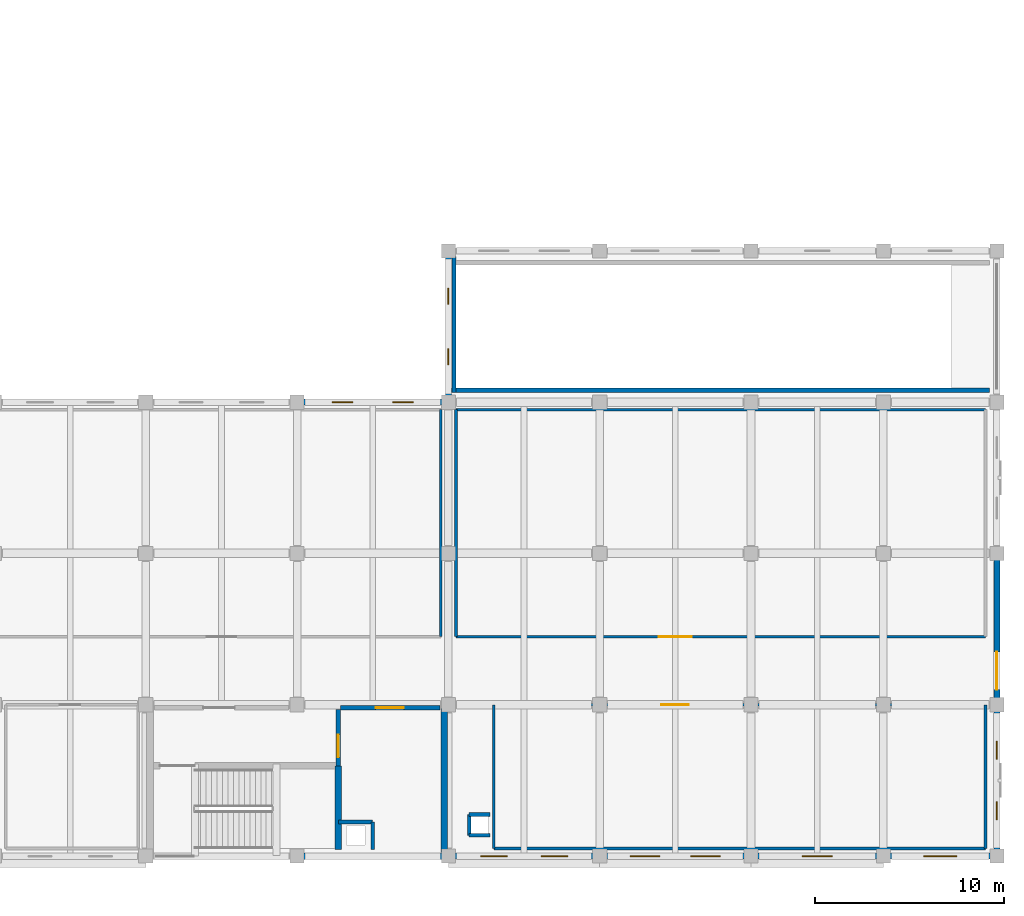
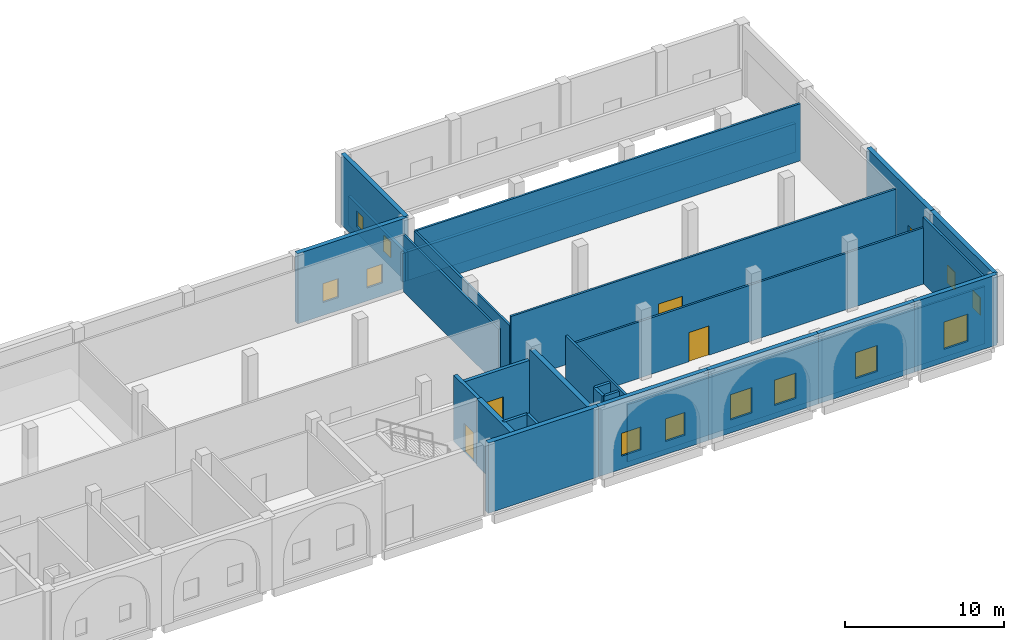
# One storey, part 24 of 40: 28 walls, 12 windows, 5 doors, 17 openings.
"""IFC4 building model written with IfcOpenShell, lengths in metres."""

import ifcopenshell
import ifcopenshell.guid

model = None  # the IFC model being written
_history = None  # IfcOwnerHistory: only IFC2X3 demands one
_inside = {}  # id of a spatial element -> (the spatial element, [elements in it])
_under = {}  # id of a project, library or spatial element -> (it, [spatial elements below it])
_declared = {}  # id of a project -> (the project, [libraries it declares])
_typed = {}  # id of a type object -> (the type object, [elements of that type])
_made_of = {}  # id of a material, layer set ... -> (it, [elements and type objects made of it])


def new_model(schema):
    """Start an empty IFC model of exactly this schema.

    Asked for "IFC4X3", IfcOpenShell would pick the latest addendum, in which some entities
    have other attributes; the version numbers below select the first issue.
    IFC2X3 requires an IfcOwnerHistory on every rooted entity: one is made here for all.
    """
    global model, _history
    if schema == "IFC4X3":
        model = ifcopenshell.file(schema_version=(4, 3, 0, 0))
    else:
        model = ifcopenshell.file(schema=schema)
    _inside.clear()
    _under.clear()
    _declared.clear()
    _typed.clear()
    _made_of.clear()
    _history = None
    if model.schema == "IFC2X3":
        org = make("IfcOrganization", Name="unknown")
        user = make(
            "IfcPersonAndOrganization",
            ThePerson=make("IfcPerson", FamilyName="unknown"),
            TheOrganization=org,
        )
        app = make(
            "IfcApplication",
            ApplicationDeveloper=org,
            Version="unknown",
            ApplicationFullName="unknown",
            ApplicationIdentifier="unknown",
        )
        _history = make(
            "IfcOwnerHistory",
            OwningUser=user,
            OwningApplication=app,
            ChangeAction="ADDED",
            CreationDate=0,
        )
    return model


def make(cls, **values):
    """One entity of the class cls with the attributes given. An attribute that is None is left unset."""
    return model.create_entity(
        cls, **{name: value for name, value in values.items() if value is not None}
    )


def rooted(cls, **values):
    """An entity with a GlobalId (a new one), such as an element, a storey or a relation."""
    return make(cls, GlobalId=ifcopenshell.guid.new(), OwnerHistory=_history, **values)


def si_unit(unit_type, name, prefix=None):
    """IfcSIUnit, for example si_unit("LENGTHUNIT", "METRE", prefix="MILLI")."""
    return make("IfcSIUnit", UnitType=unit_type, Prefix=prefix, Name=name)


def assignment(units):
    """IfcUnitAssignment: the units of a project."""
    return None if units is None else make("IfcUnitAssignment", Units=units)


def point(xyz):
    """IfcCartesianPoint."""
    return None if xyz is None else make("IfcCartesianPoint", Coordinates=xyz)


def direction(xyz):
    """IfcDirection."""
    return None if xyz is None else make("IfcDirection", DirectionRatios=xyz)


def frame(location, z_axis=None, x_axis=None):
    """IfcAxis2Placement3D, a coordinate frame: its origin and axes. An axis left out is left unset."""
    return make(
        "IfcAxis2Placement3D",
        Location=point(location),
        Axis=direction(z_axis),
        RefDirection=direction(x_axis),
    )


def frame_2d(location, x_axis=None):
    """IfcAxis2Placement2D, a coordinate frame in the plane: its origin and x axis."""
    return make(
        "IfcAxis2Placement2D", Location=point(location), RefDirection=direction(x_axis)
    )


def origin():
    """The frame at (0, 0, 0) with its axes left unset."""
    return frame((0.0, 0.0, 0.0))


def place(relative_to, where):
    """IfcLocalPlacement: puts the frame where relative to a parent placement (None: the world)."""
    return make(
        "IfcLocalPlacement", PlacementRelTo=relative_to, RelativePlacement=where
    )


def context(
    kind, dimensions, precision=None, world=None, true_north=None, identifier=None
):
    """IfcGeometricRepresentationContext, for example the 3D "Model" context."""
    return make(
        "IfcGeometricRepresentationContext",
        ContextIdentifier=identifier,
        ContextType=kind,
        CoordinateSpaceDimension=dimensions,
        Precision=precision,
        WorldCoordinateSystem=world,
        TrueNorth=true_north,
    )


def subcontext(parent, identifier, kind, view, scale=None):
    """IfcGeometricRepresentationSubContext, for example "Body" below "Model"."""
    return make(
        "IfcGeometricRepresentationSubContext",
        ContextIdentifier=identifier,
        ContextType=kind,
        ParentContext=parent,
        TargetScale=scale,
        TargetView=view,
    )


def project(units=None, contexts=None):
    """IfcProject with its units and contexts."""
    return rooted(
        "IfcProject",
        Name="project",
        RepresentationContexts=contexts,
        UnitsInContext=assignment(units),
    )


def spatial(cls, under=None, at=None, **own):
    """A site, building, storey or space (cls), placed at a placement, below another one or the project."""
    s = rooted(cls, ObjectPlacement=at, **own)
    if under is not None:
        _under.setdefault(under.id(), (under, []))[1].append(s)
    return s


def profile(cls, at=None, kind="AREA", **sizes):
    """A parametric profile (cls). Its sizes go by their IFC names, for example OverallWidth=200.0."""
    return make(cls, ProfileType=kind, Position=at, **sizes)


def rectangle(**sizes):
    """IfcRectangleProfileDef."""
    return profile("IfcRectangleProfileDef", **sizes)


def extrude(swept, where, along, depth):
    """IfcExtrudedAreaSolid: the profile swept, set in the frame where, extruded along a direction by depth."""
    return make(
        "IfcExtrudedAreaSolid",
        SweptArea=swept,
        Position=where,
        ExtrudedDirection=direction(along),
        Depth=depth,
    )


def shape(context_of_items, identifier, shape_type, items):
    """IfcShapeRepresentation: the items that make up one representation, for example the "Body"."""
    return make(
        "IfcShapeRepresentation",
        ContextOfItems=context_of_items,
        RepresentationIdentifier=identifier,
        RepresentationType=shape_type,
        Items=items,
    )


def material(Name=None, Category=None):
    """IfcMaterial."""
    return make("IfcMaterial", Name=Name, Category=Category)


def layer(
    of_material, thickness, ventilated=None, Name=None, Category=None, Priority=None
):
    """IfcMaterialLayer: one layer of a wall or slab, of a material (None: an air gap)."""
    return make(
        "IfcMaterialLayer",
        Material=of_material,
        LayerThickness=thickness,
        IsVentilated=ventilated,
        Name=Name,
        Category=Category,
        Priority=Priority,
    )


def layer_set(layers, Name=None):
    """IfcMaterialLayerSet."""
    return make("IfcMaterialLayerSet", MaterialLayers=layers, LayerSetName=Name)


def made_of(thing, what):
    """Note that an element or type object is made of a material, layer set ...; save() writes the relation."""
    if what is not None:
        _made_of.setdefault(what.id(), (what, []))[1].append(thing)
    return thing


def type_object(cls, material=None, **own):
    """A type object (cls), such as IfcWallType, which elements share."""
    return made_of(rooted(cls, **own), material)


def element(
    cls,
    number,
    at=None,
    inside=None,
    cuts=None,
    type_object=None,
    material=None,
    context=None,
    identifier="Body",
    shape_type=None,
    held_by="IfcProductDefinitionShape",
    body=None,
    shapes=None,
    **own,
):
    """One element of the class cls, such as IfcWall. Its Tag is "e" and its number.

    at: its placement. inside: the storey or other place that contains it. cuts: it is an
    opening in that element (IfcRelVoidsElement). A single representation is given by context,
    identifier, shape_type and body (its items); several are given by shapes. held_by: the class
    of the entity that holds the representations. save() writes the other relations.
    """
    e = rooted(cls, Tag="e%d" % number, ObjectPlacement=at, **own)
    if body is not None:
        shapes = [shape(context, identifier, shape_type, body)]
    if shapes is not None:
        e.Representation = make(held_by, Representations=shapes)
    if inside is not None:
        _inside.setdefault(inside.id(), (inside, []))[1].append(e)
    if cuts is not None:
        rooted(
            "IfcRelVoidsElement", RelatingBuildingElement=cuts, RelatedOpeningElement=e
        )
    if type_object is not None:
        _typed.setdefault(type_object.id(), (type_object, []))[1].append(e)
    return made_of(e, material)


def fill(opening, filler):
    """IfcRelFillsElement: the door or window that sits in an opening."""
    return rooted(
        "IfcRelFillsElement",
        RelatingOpeningElement=opening,
        RelatedBuildingElement=filler,
    )


def aggregate(whole, parts):
    """IfcRelAggregates: a whole, such as a stair, and the parts it consists of."""
    return rooted("IfcRelAggregates", RelatingObject=whole, RelatedObjects=parts)


def save(model, path):
    """Write the relations noted so far, then the file.

    IfcRelAggregates (storeys below a building ...), IfcRelContainedInSpatialStructure (elements
    in a storey), IfcRelDefinesByType, IfcRelAssociatesMaterial and IfcRelDeclares: one each for
    every whole, place, type object, material and project.
    """
    for whole, parts in _under.values():
        aggregate(whole, parts)
    for where, things in _inside.values():
        rooted(
            "IfcRelContainedInSpatialStructure",
            RelatedElements=things,
            RelatingStructure=where,
        )
    for kind, things in _typed.values():
        rooted("IfcRelDefinesByType", RelatedObjects=things, RelatingType=kind)
    for what, things in _made_of.values():
        rooted("IfcRelAssociatesMaterial", RelatedObjects=things, RelatingMaterial=what)
    for by, libraries in _declared.values():
        rooted("IfcRelDeclares", RelatingContext=by, RelatedDefinitions=libraries)
    model.write(path)


model = new_model("IFC4")

# Units and contexts
model_context = context("Model", 3, precision=1e-05, world=origin(), true_north=direction((0.0, 1.0)))
body_context = subcontext(model_context, "Body", "Model", "MODEL_VIEW")
ifc_project = project(units=[si_unit("LENGTHUNIT", "METRE"), si_unit("AREAUNIT", "SQUARE_METRE"), si_unit("VOLUMEUNIT", "CUBIC_METRE"), si_unit("PLANEANGLEUNIT", "RADIAN"), si_unit("MASSUNIT", "GRAM", prefix="KILO")], contexts=[model_context])

# Site, building, storey
site_placement = place(None, origin())
site = spatial("IfcSite", under=ifc_project, at=site_placement, CompositionType="ELEMENT")
building_placement = place(site_placement, origin())
building = spatial("IfcBuilding", under=site, at=building_placement, Name="Qorikala Patio Media Centre", CompositionType="ELEMENT")
storey_placement = place(building_placement, origin())
storey = spatial("IfcBuildingStorey", under=building, at=storey_placement, Name="L00", CompositionType="ELEMENT", Elevation=0.0)

# Walls
ifc_material_1 = material(Name="Concrete C35/45", Category="concrete")
ifc_layer_1 = layer(ifc_material_1, 0.35009765625)
ifc_layer_set_1 = layer_set([ifc_layer_1], Name="Concrete C35/45")
wall_type_1 = type_object("IfcWallType", Name="WL-CORE-350", PredefinedType="SHEAR", material=ifc_layer_set_1)
wall_1_placement = place(storey_placement, frame((138.0, 3.0, 0.0), z_axis=(0.0, 0.0, 1.0), x_axis=(-1.0, 0.0, 0.0)))
element("IfcWall", 1, at=wall_1_placement, inside=storey, type_object=wall_type_1, Name="L00 Core C7 Exterior Shear Wall", PredefinedType="SHEAR", context=body_context, shape_type="SweptSolid", body=[
    extrude(rectangle(XDim=8.0, YDim=0.35009765625, at=frame_2d((4.0, 0.0))), origin(), (0.0, 0.0, 1.0), 5.39990234375),
])
wall_2_placement = place(storey_placement, frame((132.175048828125, 3.35009765625, 0.0), z_axis=(0.0, 0.0, 1.0), x_axis=(0.0, 1.0, 0.0)))
element("IfcWall", 2, at=wall_2_placement, inside=storey, type_object=wall_type_1, Name="L00 Interior Wall CW-L00-C7-SE", PredefinedType="SHEAR", context=body_context, shape_type="SweptSolid", body=[
    extrude(rectangle(XDim=4.4248046875, YDim=0.35009765625, at=frame_2d((2.21240234375, 0.0))), origin(), (0.0, 0.0, 1.0), 5.10009765625),
])
wall_3_placement = place(storey_placement, frame((137.77490234375, 3.199951171875, 0.0), z_axis=(0.0, 0.0, 1.0), x_axis=(0.0, 1.0, 0.0)))
element("IfcWall", 3, at=wall_3_placement, inside=storey, type_object=wall_type_1, Name="L00 Interior Wall CW-L00-C7-EE", PredefinedType="SHEAR", context=body_context, shape_type="SweptSolid", body=[
    extrude(rectangle(XDim=7.60009765625, YDim=0.35009765625, at=frame_2d((3.800048828125, 0.0))), origin(), (0.0, 0.0, 1.0), 5.10009765625),
])

# Wall, openings, windows
ifc_material_2 = material(Name="Ivory Lime Stucco and Concrete C35/45", Category="concrete")
ifc_layer_2 = layer(ifc_material_2, 0.320068359375)
ifc_layer_set_2 = layer_set([ifc_layer_2], Name="Ivory Lime Stucco and Concrete C35/45")
wall_type_2 = type_object("IfcWallType", Name="WL-EXT-320", PredefinedType="SOLIDWALL", material=ifc_layer_set_2)
wall_4_placement = place(storey_placement, frame((130.0, 27.0, 0.0), z_axis=(0.0, 0.0, 1.0), x_axis=(1.0, 0.0, 0.0)))
wall_4 = element("IfcWall", 4, at=wall_4_placement, inside=storey, type_object=wall_type_2, Name="L00 Exterior Wall WL-L00-EXT-0015", PredefinedType="SOLIDWALL", context=body_context, shape_type="SweptSolid", body=[
    extrude(rectangle(XDim=8.0, YDim=0.320068359375, at=frame_2d((4.0, 0.0))), origin(), (0.0, 0.0, 1.0), 5.39990234375),
])
opening_1_placement = place(wall_4_placement, frame((1.85009765625, 0.0, 1.0)))
opening_1 = element("IfcOpeningElement", 5, at=opening_1_placement, cuts=wall_4, Name="Opening WE-110", PredefinedType="OPENING", context=body_context, shape_type="SweptSolid", body=[
    extrude(rectangle(XDim=1.10009765625, YDim=1.449951171875, at=frame_2d((0.550048828125, 0.72509765625))), frame((0.0, 0.169921875, 0.0), z_axis=(0.0, -1.0, 0.0), x_axis=(1.0, 0.0, 0.0)), (0.0, 0.0, 1.0), 0.340087890625),
])
opening_2_placement = place(wall_4_placement, frame((5.050048828125, 0.0, 1.0)))
opening_2 = element("IfcOpeningElement", 6, at=opening_2_placement, cuts=wall_4, Name="Opening WE-110", PredefinedType="OPENING", context=body_context, shape_type="SweptSolid", body=[
    extrude(rectangle(XDim=1.10009765625, YDim=1.449951171875, at=frame_2d((0.550048828125, 0.72509765625))), frame((0.0, 0.169921875, 0.0), z_axis=(0.0, -1.0, 0.0), x_axis=(1.0, 0.0, 0.0)), (0.0, 0.0, 1.0), 0.340087890625),
])
ifc_material_3 = material(Name="Bronze Anodised Aluminium and Low-E Glass", Category="aluminium")
window_type_1 = type_object("IfcWindowType", Name="WN-ED-110X145", PartitioningType="SINGLE_PANEL", PredefinedType="WINDOW", material=ifc_material_3)
window_1_placement = place(opening_1_placement, origin())
window_1 = element("IfcWindow", 7, at=window_1_placement, inside=storey, type_object=window_type_1, Name="L00 Editing Wing Casement Window 0009", OverallHeight=1.449951171875, OverallWidth=1.10009765625, PartitioningType="SINGLE_PANEL", PredefinedType="WINDOW", context=body_context, shape_type="SweptSolid", body=[
    extrude(rectangle(XDim=1.10009765625, YDim=1.449951171875, at=frame_2d((0.550048828125, 0.72509765625))), frame((0.0, 0.030029296875, 0.0), z_axis=(0.0, -1.0, 0.0), x_axis=(1.0, 0.0, 0.0)), (0.0, 0.0, 1.0), 0.06005859375),
])
fill(opening_1, window_1)
window_2_placement = place(opening_2_placement, origin())
window_2 = element("IfcWindow", 8, at=window_2_placement, inside=storey, type_object=window_type_1, Name="L00 Editing Wing Casement Window 0010", OverallHeight=1.449951171875, OverallWidth=1.10009765625, PartitioningType="SINGLE_PANEL", PredefinedType="WINDOW", context=body_context, shape_type="SweptSolid", body=[
    extrude(rectangle(XDim=1.10009765625, YDim=1.449951171875, at=frame_2d((0.550048828125, 0.72509765625))), frame((0.0, 0.030029296875, 0.0), z_axis=(0.0, -1.0, 0.0), x_axis=(1.0, 0.0, 0.0)), (0.0, 0.0, 1.0), 0.06005859375),
])
fill(opening_2, window_2)

wall_5_placement = place(storey_placement, frame((138.0, 27.0, 0.0), z_axis=(0.0, 0.0, 1.0), x_axis=(0.0, 1.0, 0.0)))
wall_5 = element("IfcWall", 9, at=wall_5_placement, inside=storey, type_object=wall_type_2, Name="L00 Exterior Wall WL-L00-EXT-0016", PredefinedType="SOLIDWALL", context=body_context, shape_type="SweptSolid", body=[
    extrude(rectangle(XDim=8.0, YDim=0.320068359375, at=frame_2d((4.0, 0.0))), origin(), (0.0, 0.0, 1.0), 5.39990234375),
])
opening_3_placement = place(wall_5_placement, frame((1.97509765625, 0.0, 1.0)))
opening_3 = element("IfcOpeningElement", 10, at=opening_3_placement, cuts=wall_5, Name="Opening WE-085", PredefinedType="OPENING", context=body_context, shape_type="SweptSolid", body=[
    extrude(rectangle(XDim=0.85009765625, YDim=1.199951171875, at=frame_2d((0.425048828125, 0.60009765625))), frame((0.0, 0.169921875, 0.0), z_axis=(0.0, -1.0, 0.0), x_axis=(1.0, 0.0, 0.0)), (0.0, 0.0, 1.0), 0.340087890625),
])
opening_4_placement = place(wall_5_placement, frame((5.175048828125, 0.0, 1.0)))
opening_4 = element("IfcOpeningElement", 11, at=opening_4_placement, cuts=wall_5, Name="Opening WE-085", PredefinedType="OPENING", context=body_context, shape_type="SweptSolid", body=[
    extrude(rectangle(XDim=0.85009765625, YDim=1.199951171875, at=frame_2d((0.425048828125, 0.60009765625))), frame((0.0, 0.169921875, 0.0), z_axis=(0.0, -1.0, 0.0), x_axis=(1.0, 0.0, 0.0)), (0.0, 0.0, 1.0), 0.340087890625),
])
window_type_2 = type_object("IfcWindowType", Name="WN-ED-085X120", PartitioningType="SINGLE_PANEL", PredefinedType="WINDOW", material=ifc_material_3)
window_3_placement = place(opening_3_placement, origin())
window_3 = element("IfcWindow", 12, at=window_3_placement, inside=storey, type_object=window_type_2, Name="L00 Editing Wing Casement Window 0011", OverallHeight=1.199951171875, OverallWidth=0.85009765625, PartitioningType="SINGLE_PANEL", PredefinedType="WINDOW", context=body_context, shape_type="SweptSolid", body=[
    extrude(rectangle(XDim=0.85009765625, YDim=1.199951171875, at=frame_2d((0.425048828125, 0.60009765625))), frame((0.0, 0.030029296875, 0.0), z_axis=(0.0, -1.0, 0.0), x_axis=(1.0, 0.0, 0.0)), (0.0, 0.0, 1.0), 0.06005859375),
])
fill(opening_3, window_3)
window_4_placement = place(opening_4_placement, origin())
window_4 = element("IfcWindow", 13, at=window_4_placement, inside=storey, type_object=window_type_2, Name="L00 Editing Wing Casement Window 0012", OverallHeight=1.199951171875, OverallWidth=0.85009765625, PartitioningType="SINGLE_PANEL", PredefinedType="WINDOW", context=body_context, shape_type="SweptSolid", body=[
    extrude(rectangle(XDim=0.85009765625, YDim=1.199951171875, at=frame_2d((0.425048828125, 0.60009765625))), frame((0.0, 0.030029296875, 0.0), z_axis=(0.0, -1.0, 0.0), x_axis=(1.0, 0.0, 0.0)), (0.0, 0.0, 1.0), 0.06005859375),
])
fill(opening_4, window_4)

# Wall, opening, door
wall_6_placement = place(storey_placement, frame((167.0, 19.0, 0.0), z_axis=(0.0, 0.0, 1.0), x_axis=(0.0, -1.0, 0.0)))
wall_6 = element("IfcWall", 14, at=wall_6_placement, inside=storey, type_object=wall_type_2, Name="L00 Exterior Wall WL-L00-EXT-0023", PredefinedType="SOLIDWALL", context=body_context, shape_type="SweptSolid", body=[
    extrude(rectangle(XDim=8.0, YDim=0.320068359375, at=frame_2d((4.0, 0.0))), origin(), (0.0, 0.0, 1.0), 5.39990234375),
])
opening_5_placement = place(wall_6_placement, frame((5.199951171875, 0.0, 0.0)))
opening_5 = element("IfcOpeningElement", 15, at=opening_5_placement, cuts=wall_6, Name="Opening D001", PredefinedType="OPENING", context=body_context, shape_type="SweptSolid", body=[
    extrude(rectangle(XDim=2.0, YDim=2.60009765625, at=frame_2d((1.0, 1.300048828125))), frame((0.0, 0.169921875, 0.0), z_axis=(0.0, -1.0, 0.0), x_axis=(1.0, 0.0, 0.0)), (0.0, 0.0, 1.0), 0.340087890625),
])
ifc_material_4 = material(Name="Bronze Anodised Steel and Glass", Category="steel")
door_type_1 = type_object("IfcDoorType", Name="DR-EX-200X260", OperationType="DOUBLE_DOOR_SINGLE_SWING", PredefinedType="DOOR", material=ifc_material_4)
door_1_placement = place(opening_5_placement, origin())
door_1 = element("IfcDoor", 16, at=door_1_placement, inside=storey, type_object=door_type_1, Name="Main Pedestrian Entrance and Exit Door EX-01", OperationType="DOUBLE_DOOR_SINGLE_SWING", OverallHeight=2.60009765625, OverallWidth=2.0, PredefinedType="DOOR", context=body_context, shape_type="SweptSolid", body=[
    extrude(rectangle(XDim=2.0, YDim=2.60009765625, at=frame_2d((1.0, 1.300048828125))), frame((0.0, 0.02490234375, 0.0), z_axis=(0.0, -1.0, 0.0), x_axis=(1.0, 0.0, 0.0)), (0.0, 0.0, 1.0), 0.050048828125),
])
fill(opening_5, door_1)

# Wall, openings, windows
wall_7_placement = place(storey_placement, frame((167.0, 11.0, 0.0), z_axis=(0.0, 0.0, 1.0), x_axis=(0.0, -1.0, 0.0)))
wall_7 = element("IfcWall", 17, at=wall_7_placement, inside=storey, type_object=wall_type_2, Name="L00 Exterior Wall WL-L00-EXT-0024", PredefinedType="SOLIDWALL", context=body_context, shape_type="SweptSolid", body=[
    extrude(rectangle(XDim=8.0, YDim=0.320068359375, at=frame_2d((4.0, 0.0))), origin(), (0.0, 0.0, 1.0), 5.39990234375),
])
opening_6_placement = place(wall_7_placement, frame((1.925048828125, 0.0, 1.0)))
opening_6 = element("IfcOpeningElement", 18, at=opening_6_placement, cuts=wall_7, Name="Opening WE-095", PredefinedType="OPENING", context=body_context, shape_type="SweptSolid", body=[
    extrude(rectangle(XDim=0.949951171875, YDim=1.35009765625, at=frame_2d((0.47509765625, 0.675048828125))), frame((0.0, 0.169921875, 0.0), z_axis=(0.0, -1.0, 0.0), x_axis=(1.0, 0.0, 0.0)), (0.0, 0.0, 1.0), 0.340087890625),
])
opening_7_placement = place(wall_7_placement, frame((5.125, 0.0, 1.0)))
opening_7 = element("IfcOpeningElement", 19, at=opening_7_placement, cuts=wall_7, Name="Opening WE-095", PredefinedType="OPENING", context=body_context, shape_type="SweptSolid", body=[
    extrude(rectangle(XDim=0.949951171875, YDim=1.35009765625, at=frame_2d((0.47509765625, 0.675048828125))), frame((0.0, 0.169921875, 0.0), z_axis=(0.0, -1.0, 0.0), x_axis=(1.0, 0.0, 0.0)), (0.0, 0.0, 1.0), 0.340087890625),
])
window_type_3 = type_object("IfcWindowType", Name="WN-ED-095X135", PartitioningType="SINGLE_PANEL", PredefinedType="WINDOW", material=ifc_material_3)
window_5_placement = place(opening_6_placement, origin())
window_5 = element("IfcWindow", 20, at=window_5_placement, inside=storey, type_object=window_type_3, Name="L00 Editing Wing Casement Window 0021", OverallHeight=1.35009765625, OverallWidth=0.949951171875, PartitioningType="SINGLE_PANEL", PredefinedType="WINDOW", context=body_context, shape_type="SweptSolid", body=[
    extrude(rectangle(XDim=0.949951171875, YDim=1.35009765625, at=frame_2d((0.47509765625, 0.675048828125))), frame((0.0, 0.030029296875, 0.0), z_axis=(0.0, -1.0, 0.0), x_axis=(1.0, 0.0, 0.0)), (0.0, 0.0, 1.0), 0.06005859375),
])
fill(opening_6, window_5)
window_6_placement = place(opening_7_placement, origin())
window_6 = element("IfcWindow", 21, at=window_6_placement, inside=storey, type_object=window_type_3, Name="L00 Editing Wing Casement Window 0022", OverallHeight=1.35009765625, OverallWidth=0.949951171875, PartitioningType="SINGLE_PANEL", PredefinedType="WINDOW", context=body_context, shape_type="SweptSolid", body=[
    extrude(rectangle(XDim=0.949951171875, YDim=1.35009765625, at=frame_2d((0.47509765625, 0.675048828125))), frame((0.0, 0.030029296875, 0.0), z_axis=(0.0, -1.0, 0.0), x_axis=(1.0, 0.0, 0.0)), (0.0, 0.0, 1.0), 0.06005859375),
])
fill(opening_7, window_6)

# Wall, opening, window
wall_8_placement = place(storey_placement, frame((167.0, 3.0, 0.0), z_axis=(0.0, 0.0, 1.0), x_axis=(-1.0, 0.0, 0.0)))
wall_8 = element("IfcWall", 22, at=wall_8_placement, inside=storey, type_object=wall_type_2, Name="L00 Exterior Wall WL-L00-EXT-0025", PredefinedType="SOLIDWALL", context=body_context, shape_type="SweptSolid", body=[
    extrude(rectangle(XDim=6.0, YDim=0.320068359375, at=frame_2d((3.0, 0.0))), origin(), (0.0, 0.0, 1.0), 5.39990234375),
])
opening_8_placement = place(wall_8_placement, frame((2.125, 0.0, 1.0)))
opening_8 = element("IfcOpeningElement", 23, at=opening_8_placement, cuts=wall_8, Name="Opening WE-175", PredefinedType="OPENING", context=body_context, shape_type="SweptSolid", body=[
    extrude(rectangle(XDim=1.75, YDim=2.10009765625, at=frame_2d((0.875, 1.050048828125))), frame((0.0, 0.169921875, 0.0), z_axis=(0.0, -1.0, 0.0), x_axis=(1.0, 0.0, 0.0)), (0.0, 0.0, 1.0), 0.340087890625),
])
window_type_4 = type_object("IfcWindowType", Name="WN-ED-175X210", PartitioningType="SINGLE_PANEL", PredefinedType="WINDOW", material=ifc_material_3)
window_7_placement = place(opening_8_placement, origin())
window_7 = element("IfcWindow", 24, at=window_7_placement, inside=storey, type_object=window_type_4, Name="L00 Editing Wing Casement Window 0023", OverallHeight=2.10009765625, OverallWidth=1.75, PartitioningType="SINGLE_PANEL", PredefinedType="WINDOW", context=body_context, shape_type="SweptSolid", body=[
    extrude(rectangle(XDim=1.75, YDim=2.10009765625, at=frame_2d((0.875, 1.050048828125))), frame((0.0, 0.030029296875, 0.0), z_axis=(0.0, -1.0, 0.0), x_axis=(1.0, 0.0, 0.0)), (0.0, 0.0, 1.0), 0.06005859375),
])
fill(opening_8, window_7)

wall_9_placement = place(storey_placement, frame((161.0, 3.0, 0.0), z_axis=(0.0, 0.0, 1.0), x_axis=(-1.0, 0.0, 0.0)))
wall_9 = element("IfcWall", 25, at=wall_9_placement, inside=storey, type_object=wall_type_2, Name="L00 Exterior Wall WL-L00-EXT-0026", PredefinedType="SOLIDWALL", context=body_context, shape_type="SweptSolid", body=[
    extrude(rectangle(XDim=7.0, YDim=0.320068359375, at=frame_2d((3.5, 0.0))), origin(), (0.0, 0.0, 1.0), 5.39990234375),
])
opening_9_placement = place(wall_9_placement, frame((2.699951171875, 0.0, 1.0)))
opening_9 = element("IfcOpeningElement", 26, at=opening_9_placement, cuts=wall_9, Name="Opening WE-160", PredefinedType="OPENING", context=body_context, shape_type="SweptSolid", body=[
    extrude(rectangle(XDim=1.60009765625, YDim=2.0, at=frame_2d((0.800048828125, 1.0))), frame((0.0, 0.169921875, 0.0), z_axis=(0.0, -1.0, 0.0), x_axis=(1.0, 0.0, 0.0)), (0.0, 0.0, 1.0), 0.340087890625),
])
window_type_5 = type_object("IfcWindowType", Name="WN-ED-160X200", PartitioningType="SINGLE_PANEL", PredefinedType="WINDOW", material=ifc_material_3)
window_8_placement = place(opening_9_placement, origin())
window_8 = element("IfcWindow", 27, at=window_8_placement, inside=storey, type_object=window_type_5, Name="L00 Editing Wing Casement Window 0024", OverallHeight=2.0, OverallWidth=1.60009765625, PartitioningType="SINGLE_PANEL", PredefinedType="WINDOW", context=body_context, shape_type="SweptSolid", body=[
    extrude(rectangle(XDim=1.60009765625, YDim=2.0, at=frame_2d((0.800048828125, 1.0))), frame((0.0, 0.030029296875, 0.0), z_axis=(0.0, -1.0, 0.0), x_axis=(1.0, 0.0, 0.0)), (0.0, 0.0, 1.0), 0.06005859375),
])
fill(opening_9, window_8)

# Wall, openings, windows
wall_10_placement = place(storey_placement, frame((154.0, 3.0, 0.0), z_axis=(0.0, 0.0, 1.0), x_axis=(-1.0, 0.0, 0.0)))
wall_10 = element("IfcWall", 28, at=wall_10_placement, inside=storey, type_object=wall_type_2, Name="L00 Exterior Wall WL-L00-EXT-0027", PredefinedType="SOLIDWALL", context=body_context, shape_type="SweptSolid", body=[
    extrude(rectangle(XDim=8.0, YDim=0.320068359375, at=frame_2d((4.0, 0.0))), origin(), (0.0, 0.0, 1.0), 5.39990234375),
])
opening_10_placement = place(wall_10_placement, frame((1.625, 0.0, 1.0)))
opening_10 = element("IfcOpeningElement", 29, at=opening_10_placement, cuts=wall_10, Name="Opening WE-155", PredefinedType="OPENING", context=body_context, shape_type="SweptSolid", body=[
    extrude(rectangle(XDim=1.550048828125, YDim=1.949951171875, at=frame_2d((0.77490234375, 0.97509765625))), frame((0.0, 0.169921875, 0.0), z_axis=(0.0, -1.0, 0.0), x_axis=(1.0, 0.0, 0.0)), (0.0, 0.0, 1.0), 0.340087890625),
])
opening_11_placement = place(wall_10_placement, frame((4.824951171875, 0.0, 1.0)))
opening_11 = element("IfcOpeningElement", 30, at=opening_11_placement, cuts=wall_10, Name="Opening WE-155", PredefinedType="OPENING", context=body_context, shape_type="SweptSolid", body=[
    extrude(rectangle(XDim=1.550048828125, YDim=1.949951171875, at=frame_2d((0.77490234375, 0.97509765625))), frame((0.0, 0.169921875, 0.0), z_axis=(0.0, -1.0, 0.0), x_axis=(1.0, 0.0, 0.0)), (0.0, 0.0, 1.0), 0.340087890625),
])
window_type_6 = type_object("IfcWindowType", Name="WN-ED-155X195", PartitioningType="SINGLE_PANEL", PredefinedType="WINDOW", material=ifc_material_3)
window_9_placement = place(opening_10_placement, origin())
window_9 = element("IfcWindow", 31, at=window_9_placement, inside=storey, type_object=window_type_6, Name="L00 Editing Wing Casement Window 0025", OverallHeight=1.949951171875, OverallWidth=1.550048828125, PartitioningType="SINGLE_PANEL", PredefinedType="WINDOW", context=body_context, shape_type="SweptSolid", body=[
    extrude(rectangle(XDim=1.550048828125, YDim=1.949951171875, at=frame_2d((0.77490234375, 0.97509765625))), frame((0.0, 0.030029296875, 0.0), z_axis=(0.0, -1.0, 0.0), x_axis=(1.0, 0.0, 0.0)), (0.0, 0.0, 1.0), 0.06005859375),
])
fill(opening_10, window_9)
window_10_placement = place(opening_11_placement, origin())
window_10 = element("IfcWindow", 32, at=window_10_placement, inside=storey, type_object=window_type_6, Name="L00 Editing Wing Casement Window 0026", OverallHeight=1.949951171875, OverallWidth=1.550048828125, PartitioningType="SINGLE_PANEL", PredefinedType="WINDOW", context=body_context, shape_type="SweptSolid", body=[
    extrude(rectangle(XDim=1.550048828125, YDim=1.949951171875, at=frame_2d((0.77490234375, 0.97509765625))), frame((0.0, 0.030029296875, 0.0), z_axis=(0.0, -1.0, 0.0), x_axis=(1.0, 0.0, 0.0)), (0.0, 0.0, 1.0), 0.06005859375),
])
fill(opening_11, window_10)

wall_11_placement = place(storey_placement, frame((146.0, 3.0, 0.0), z_axis=(0.0, 0.0, 1.0), x_axis=(-1.0, 0.0, 0.0)))
wall_11 = element("IfcWall", 33, at=wall_11_placement, inside=storey, type_object=wall_type_2, Name="L00 Exterior Wall WL-L00-EXT-0028", PredefinedType="SOLIDWALL", context=body_context, shape_type="SweptSolid", body=[
    extrude(rectangle(XDim=8.0, YDim=0.320068359375, at=frame_2d((4.0, 0.0))), origin(), (0.0, 0.0, 1.0), 5.39990234375),
])
opening_12_placement = place(wall_11_placement, frame((1.699951171875, 0.0, 1.0)))
opening_12 = element("IfcOpeningElement", 34, at=opening_12_placement, cuts=wall_11, Name="Opening WE-140", PredefinedType="OPENING", context=body_context, shape_type="SweptSolid", body=[
    extrude(rectangle(XDim=1.39990234375, YDim=1.75, at=frame_2d((0.699951171875, 0.875))), frame((0.0, 0.169921875, 0.0), z_axis=(0.0, -1.0, 0.0), x_axis=(1.0, 0.0, 0.0)), (0.0, 0.0, 1.0), 0.340087890625),
])
opening_13_placement = place(wall_11_placement, frame((4.89990234375, 0.0, 1.0)))
opening_13 = element("IfcOpeningElement", 35, at=opening_13_placement, cuts=wall_11, Name="Opening WE-140", PredefinedType="OPENING", context=body_context, shape_type="SweptSolid", body=[
    extrude(rectangle(XDim=1.39990234375, YDim=1.75, at=frame_2d((0.699951171875, 0.875))), frame((0.0, 0.169921875, 0.0), z_axis=(0.0, -1.0, 0.0), x_axis=(1.0, 0.0, 0.0)), (0.0, 0.0, 1.0), 0.340087890625),
])
window_type_7 = type_object("IfcWindowType", Name="WN-ED-140X175", PartitioningType="SINGLE_PANEL", PredefinedType="WINDOW", material=ifc_material_3)
window_11_placement = place(opening_12_placement, origin())
window_11 = element("IfcWindow", 36, at=window_11_placement, inside=storey, type_object=window_type_7, Name="L00 Editing Wing Casement Window 0027", OverallHeight=1.75, OverallWidth=1.39990234375, PartitioningType="SINGLE_PANEL", PredefinedType="WINDOW", context=body_context, shape_type="SweptSolid", body=[
    extrude(rectangle(XDim=1.39990234375, YDim=1.75, at=frame_2d((0.699951171875, 0.875))), frame((0.0, 0.030029296875, 0.0), z_axis=(0.0, -1.0, 0.0), x_axis=(1.0, 0.0, 0.0)), (0.0, 0.0, 1.0), 0.06005859375),
])
fill(opening_12, window_11)
window_12_placement = place(opening_13_placement, origin())
window_12 = element("IfcWindow", 37, at=window_12_placement, inside=storey, type_object=window_type_7, Name="L00 Editing Wing Casement Window 0028", OverallHeight=1.75, OverallWidth=1.39990234375, PartitioningType="SINGLE_PANEL", PredefinedType="WINDOW", context=body_context, shape_type="SweptSolid", body=[
    extrude(rectangle(XDim=1.39990234375, YDim=1.75, at=frame_2d((0.699951171875, 0.875))), frame((0.0, 0.030029296875, 0.0), z_axis=(0.0, -1.0, 0.0), x_axis=(1.0, 0.0, 0.0)), (0.0, 0.0, 1.0), 0.06005859375),
])
fill(opening_13, window_12)

# Wall, opening, door
ifc_layer_3 = layer(ifc_material_1, 0.25)
ifc_layer_set_3 = layer_set([ifc_layer_3], Name="Concrete C35/45")
wall_type_3 = type_object("IfcWallType", Name="WL-FFL-250", PredefinedType="PARTITIONING", material=ifc_layer_set_3)
wall_12_placement = place(storey_placement, frame((132.175048828125, 7.77490234375, 0.0), z_axis=(0.0, 0.0, 1.0), x_axis=(0.0, 1.0, 0.0)))
wall_12 = element("IfcWall", 38, at=wall_12_placement, inside=storey, type_object=wall_type_3, Name="L00 Interior Wall CW-L00-C7-LBD", PredefinedType="PARTITIONING", context=body_context, shape_type="SweptSolid", body=[
    extrude(rectangle(XDim=2.97509765625, YDim=0.25, at=frame_2d((1.487548828125, 0.0))), origin(), (0.0, 0.0, 1.0), 5.10009765625),
])
opening_14_placement = place(wall_12_placement, frame((0.449951171875, 0.0, 0.0)))
opening_14 = element("IfcOpeningElement", 39, at=opening_14_placement, cuts=wall_12, Name="Opening D201", PredefinedType="OPENING", context=body_context, shape_type="SweptSolid", body=[
    extrude(rectangle(XDim=1.199951171875, YDim=2.199951171875, at=frame_2d((0.60009765625, 1.10009765625))), frame((0.0, 0.135009765625, 0.0), z_axis=(0.0, -1.0, 0.0), x_axis=(1.0, 0.0, 0.0)), (0.0, 0.0, 1.0), 0.27001953125),
])
ifc_material_5 = material(Name="Acoustic Fire Timber and Steel", Category="steel")
door_type_2 = type_object("IfcDoorType", Name="DR-FD60-120X220", OperationType="NOTDEFINED", PredefinedType="DOOR", material=ifc_material_5)
door_2_placement = place(opening_14_placement, origin())
door_2 = element("IfcDoor", 40, at=door_2_placement, inside=storey, type_object=door_type_2, Name="L00 Core C7 Firefighting Lobby Cross Door", OperationType="SINGLE_SWING_LEFT", OverallHeight=2.199951171875, OverallWidth=1.199951171875, PredefinedType="DOOR", context=body_context, shape_type="SweptSolid", body=[
    extrude(rectangle(XDim=1.199951171875, YDim=2.199951171875, at=frame_2d((0.60009765625, 1.10009765625))), frame((0.0, 0.02490234375, 0.0), z_axis=(0.0, -1.0, 0.0), x_axis=(1.0, 0.0, 0.0)), (0.0, 0.0, 1.0), 0.050048828125),
])
fill(opening_14, door_2)

wall_13_placement = place(storey_placement, frame((132.300048828125, 10.85009765625, 0.0), z_axis=(0.0, 0.0, 1.0), x_axis=(1.0, 0.0, 0.0)))
wall_13 = element("IfcWall", 41, at=wall_13_placement, inside=storey, type_object=wall_type_3, Name="L00 Interior Wall CW-L00-C7-CN2", PredefinedType="PARTITIONING", context=body_context, shape_type="SweptSolid", body=[
    extrude(rectangle(XDim=5.25, YDim=0.25, at=frame_2d((2.625, 0.0))), origin(), (0.0, 0.0, 1.0), 4.3349609375),
])
opening_15_placement = place(wall_13_placement, frame((1.85009765625, 0.0, 0.0)))
opening_15 = element("IfcOpeningElement", 42, at=opening_15_placement, cuts=wall_13, Name="Opening D203", PredefinedType="OPENING", context=body_context, shape_type="SweptSolid", body=[
    extrude(rectangle(XDim=1.5, YDim=2.199951171875, at=frame_2d((0.75, 1.10009765625))), frame((0.0, 0.135009765625, 0.0), z_axis=(0.0, -1.0, 0.0), x_axis=(1.0, 0.0, 0.0)), (0.0, 0.0, 1.0), 0.27001953125),
])
ifc_material_6 = material(Name="Powder-Coated Acoustic Fire Steel", Category="steel")
door_type_3 = type_object("IfcDoorType", Name="DR-FD60-150X220", OperationType="DOUBLE_DOOR_SINGLE_SWING", PredefinedType="DOOR", material=ifc_material_6)
door_3_placement = place(opening_15_placement, origin())
door_3 = element("IfcDoor", 43, at=door_3_placement, inside=storey, type_object=door_type_3, Name="L00 Core C7 Firefighting Lobby Door", OperationType="DOUBLE_DOOR_SINGLE_SWING", OverallHeight=2.199951171875, OverallWidth=1.5, PredefinedType="DOOR", context=body_context, shape_type="SweptSolid", body=[
    extrude(rectangle(XDim=1.5, YDim=2.199951171875, at=frame_2d((0.75, 1.10009765625))), frame((0.0, 0.02490234375, 0.0), z_axis=(0.0, -1.0, 0.0), x_axis=(1.0, 0.0, 0.0)), (0.0, 0.0, 1.0), 0.050048828125),
])
fill(opening_15, door_3)

# Walls
ifc_material_7 = material(Name="Acoustic Gypsum Stud Partition")
ifc_layer_4 = layer(ifc_material_7, 0.14990234375)
ifc_layer_set_4 = layer_set([ifc_layer_4], Name="Acoustic Gypsum Stud Partition")
wall_type_4 = type_object("IfcWallType", Name="WL-PT-150", PredefinedType="PARTITIONING", material=ifc_layer_set_4)
wall_14_placement = place(storey_placement, frame((137.60009765625, 14.60009765625, 0.0), z_axis=(0.0, 0.0, 1.0), x_axis=(0.0, 1.0, 0.0)))
element("IfcWall", 44, at=wall_14_placement, inside=storey, type_object=wall_type_4, Name="L00 Interior Wall WINT-L00-ING1-E", PredefinedType="PARTITIONING", context=body_context, shape_type="SweptSolid", body=[
    extrude(rectangle(XDim=12.0, YDim=0.14990234375, at=frame_2d((6.0, 0.0))), origin(), (0.0, 0.0, 1.0), 4.385009765625),
])
wall_15_placement = place(storey_placement, frame((140.39990234375, 3.39990234375, 0.0), z_axis=(0.0, 0.0, 1.0), x_axis=(1.0, 0.0, 0.0)))
element("IfcWall", 45, at=wall_15_placement, inside=storey, type_object=wall_type_4, Name="L00 Interior Wall WINT-L00-ED01-S", PredefinedType="PARTITIONING", context=body_context, shape_type="SweptSolid", body=[
    extrude(rectangle(XDim=26.0, YDim=0.14990234375, at=frame_2d((13.0, 0.0))), origin(), (0.0, 0.0, 1.0), 4.405029296875),
])
wall_16_placement = place(storey_placement, frame((166.39990234375, 3.39990234375, 0.0), z_axis=(0.0, 0.0, 1.0), x_axis=(0.0, 1.0, 0.0)))
element("IfcWall", 46, at=wall_16_placement, inside=storey, type_object=wall_type_4, Name="L00 Interior Wall WINT-L00-ED01-E", PredefinedType="PARTITIONING", context=body_context, shape_type="SweptSolid", body=[
    extrude(rectangle(XDim=7.60009765625, YDim=0.14990234375, at=frame_2d((3.800048828125, 0.0))), origin(), (0.0, 0.0, 1.0), 5.10009765625),
])

# Wall, opening, door
wall_17_placement = place(storey_placement, frame((140.39990234375, 11.0, 0.0), z_axis=(0.0, 0.0, 1.0), x_axis=(1.0, 0.0, 0.0)))
wall_17 = element("IfcWall", 47, at=wall_17_placement, inside=storey, type_object=wall_type_4, Name="L00 Interior Wall WINT-L00-ED01-N", PredefinedType="PARTITIONING", context=body_context, shape_type="SweptSolid", body=[
    extrude(rectangle(XDim=26.0, YDim=0.14990234375, at=frame_2d((13.0, 0.0))), origin(), (0.0, 0.0, 1.0), 4.3349609375),
])
opening_16_placement = place(wall_17_placement, frame((8.85302734375, 0.0, 0.0)))
opening_16 = element("IfcOpeningElement", 48, at=opening_16_placement, cuts=wall_17, Name="Opening D239", PredefinedType="OPENING", context=body_context, shape_type="SweptSolid", body=[
    extrude(rectangle(XDim=1.449951171875, YDim=2.25, at=frame_2d((0.72509765625, 1.125))), frame((0.0, 0.0849609375, 0.0), z_axis=(0.0, -1.0, 0.0), x_axis=(1.0, 0.0, 0.0)), (0.0, 0.0, 1.0), 0.169921875),
])
ifc_material_8 = material(Name="Solid Andean Cedar Timber", Category="wood")
door_type_4 = type_object("IfcDoorType", Name="DR-IN-145X225", OperationType="DOUBLE_DOOR_SINGLE_SWING", PredefinedType="DOOR", material=ifc_material_8)
door_4_placement = place(opening_16_placement, origin())
door_4 = element("IfcDoor", 49, at=door_4_placement, inside=storey, type_object=door_type_4, Name="Editing Suite 01 and OB Dispatch Door 028", OperationType="DOUBLE_DOOR_SINGLE_SWING", OverallHeight=2.25, OverallWidth=1.449951171875, PredefinedType="DOOR", context=body_context, shape_type="SweptSolid", body=[
    extrude(rectangle(XDim=1.449951171875, YDim=2.25, at=frame_2d((0.72509765625, 1.125))), frame((0.0, 0.02490234375, 0.0), z_axis=(0.0, -1.0, 0.0), x_axis=(1.0, 0.0, 0.0)), (0.0, 0.0, 1.0), 0.050048828125),
])
fill(opening_16, door_4)

# Wall
wall_18_placement = place(storey_placement, frame((140.39990234375, 3.39990234375, 0.0), z_axis=(0.0, 0.0, 1.0), x_axis=(0.0, 1.0, 0.0)))
element("IfcWall", 50, at=wall_18_placement, inside=storey, type_object=wall_type_4, Name="L00 Interior Wall WINT-L00-ED01-W", PredefinedType="PARTITIONING", context=body_context, shape_type="SweptSolid", body=[
    extrude(rectangle(XDim=7.60009765625, YDim=0.14990234375, at=frame_2d((3.800048828125, 0.0))), origin(), (0.0, 0.0, 1.0), 5.10009765625),
])

# Wall, opening, door
wall_19_placement = place(storey_placement, frame((138.39990234375, 14.60009765625, 0.0), z_axis=(0.0, 0.0, 1.0), x_axis=(1.0, 0.0, 0.0)))
wall_19 = element("IfcWall", 51, at=wall_19_placement, inside=storey, type_object=wall_type_4, Name="L00 Interior Wall WINT-L00-ED02-S", PredefinedType="PARTITIONING", context=body_context, shape_type="SweptSolid", body=[
    extrude(rectangle(XDim=28.0, YDim=0.14990234375, at=frame_2d((14.0, 0.0))), origin(), (0.0, 0.0, 1.0), 5.10009765625),
])
opening_17_placement = place(wall_19_placement, frame((10.7109375, 0.0, 0.0)))
opening_17 = element("IfcOpeningElement", 52, at=opening_17_placement, cuts=wall_19, Name="Opening D240", PredefinedType="OPENING", context=body_context, shape_type="SweptSolid", body=[
    extrude(rectangle(XDim=1.75, YDim=2.300048828125, at=frame_2d((0.875, 1.14990234375))), frame((0.0, 0.0849609375, 0.0), z_axis=(0.0, -1.0, 0.0), x_axis=(1.0, 0.0, 0.0)), (0.0, 0.0, 1.0), 0.169921875),
])
door_type_5 = type_object("IfcDoorType", Name="DR-IN-175X230", OperationType="DOUBLE_DOOR_SINGLE_SWING", PredefinedType="DOOR", material=ifc_material_8)
door_5_placement = place(opening_17_placement, origin())
door_5 = element("IfcDoor", 53, at=door_5_placement, inside=storey, type_object=door_type_5, Name="Editing Suite 02 Door 029", OperationType="DOUBLE_DOOR_SINGLE_SWING", OverallHeight=2.300048828125, OverallWidth=1.75, PredefinedType="DOOR", context=body_context, shape_type="SweptSolid", body=[
    extrude(rectangle(XDim=1.75, YDim=2.300048828125, at=frame_2d((0.875, 1.14990234375))), frame((0.0, 0.02490234375, 0.0), z_axis=(0.0, -1.0, 0.0), x_axis=(1.0, 0.0, 0.0)), (0.0, 0.0, 1.0), 0.050048828125),
])
fill(opening_17, door_5)

# Walls
wall_20_placement = place(storey_placement, frame((138.39990234375, 26.60009765625, 0.0), z_axis=(0.0, 0.0, 1.0), x_axis=(1.0, 0.0, 0.0)))
element("IfcWall", 54, at=wall_20_placement, inside=storey, type_object=wall_type_4, Name="L00 Interior Wall WINT-L00-ED02-N", PredefinedType="PARTITIONING", context=body_context, shape_type="SweptSolid", body=[
    extrude(rectangle(XDim=28.0, YDim=0.14990234375, at=frame_2d((14.0, 0.0))), origin(), (0.0, 0.0, 1.0), 4.405029296875),
])
wall_21_placement = place(storey_placement, frame((138.39990234375, 14.60009765625, 0.0), z_axis=(0.0, 0.0, 1.0), x_axis=(0.0, 1.0, 0.0)))
element("IfcWall", 55, at=wall_21_placement, inside=storey, type_object=wall_type_4, Name="L00 Interior Wall WINT-L00-ED02-W", PredefinedType="PARTITIONING", context=body_context, shape_type="SweptSolid", body=[
    extrude(rectangle(XDim=12.0, YDim=0.14990234375, at=frame_2d((6.0, 0.0))), origin(), (0.0, 0.0, 1.0), 4.385009765625),
])
ifc_material_9 = material(Name="Acoustic Masonry and Plaster Concrete C30/37", Category="masonry")
ifc_layer_5 = layer(ifc_material_9, 0.199951171875)
ifc_layer_set_5 = layer_set([ifc_layer_5], Name="Acoustic Masonry and Plaster Concrete C30/37")
wall_type_5 = type_object("IfcWallType", Name="WL-ST-200", PredefinedType="PARTITIONING", material=ifc_layer_set_5)
wall_22_placement = place(storey_placement, frame((132.199951171875, 4.800048828125, 0.0), z_axis=(0.0, 0.0, 1.0), x_axis=(1.0, 0.0, 0.0)))
element("IfcWall", 56, at=wall_22_placement, inside=storey, type_object=wall_type_5, Name="L00 Interior Wall CW-L00-C7-RSN", PredefinedType="PARTITIONING", context=body_context, shape_type="SweptSolid", body=[
    extrude(rectangle(XDim=1.800048828125, YDim=0.199951171875, at=frame_2d((0.89990234375, 0.0))), origin(), (0.0, 0.0, 1.0), 5.10009765625),
])
wall_23_placement = place(storey_placement, frame((134.0, 3.35009765625, 0.0), z_axis=(0.0, 0.0, 1.0), x_axis=(0.0, 1.0, 0.0)))
element("IfcWall", 57, at=wall_23_placement, inside=storey, type_object=wall_type_5, Name="L00 Interior Wall CW-L00-C7-RSE", PredefinedType="PARTITIONING", context=body_context, shape_type="SweptSolid", body=[
    extrude(rectangle(XDim=1.449951171875, YDim=0.199951171875, at=frame_2d((0.72509765625, 0.0))), origin(), (0.0, 0.0, 1.0), 5.10009765625),
])
wall_24_placement = place(storey_placement, frame((138.0, 27.6201171875, 0.0), z_axis=(0.0, 0.0, 1.0), x_axis=(1.0, 0.0, 0.0)))
element("IfcWall", 58, at=wall_24_placement, inside=storey, type_object=wall_type_5, Name="L00 Vehicle Ramp South Enclosure Wall", PredefinedType="PARTITIONING", context=body_context, shape_type="SweptSolid", body=[
    extrude(rectangle(XDim=28.60009765625, YDim=0.239990234375, at=frame_2d((14.300048828125, 0.0))), origin(), (0.0, 0.0, 1.0), 2.199951171875),
])
wall_25_placement = place(storey_placement, frame((138.300048828125, 27.5, 0.0), z_axis=(0.0, 0.0, 1.0), x_axis=(0.0, 1.0, 0.0)))
element("IfcWall", 59, at=wall_25_placement, inside=storey, type_object=wall_type_5, Name="L00 Vehicle Ramp West Enclosure Wall", PredefinedType="PARTITIONING", context=body_context, shape_type="SweptSolid", body=[
    extrude(rectangle(XDim=7.199951171875, YDim=0.199951171875, at=frame_2d((3.60009765625, 0.0))), origin(), (0.0, 0.0, 1.0), 2.199951171875),
])
for number, where, z_axis, x_axis, name in (
    (60, (139.10009765625, 4.10009765625, 0.0), (0.0, 0.0, 1.0), (1.0, 0.0, 0.0), "L00 Interior Wall RSW-9-L00-S"),
    (61, (139.10009765625, 5.199951171875, 0.0), (0.0, 0.0, 1.0), (1.0, 0.0, 0.0), "L00 Interior Wall RSW-9-L00-N"),
    (62, (139.10009765625, 4.10009765625, 0.0), (0.0, 0.0, 1.0), (0.0, 1.0, 0.0), "L00 Interior Wall RSW-9-L00-W"),
):
    element("IfcWall", number, at=place(storey_placement, frame(where, z_axis=z_axis, x_axis=x_axis)), inside=storey, type_object=wall_type_5, Name=name, PredefinedType="PARTITIONING", context=body_context, shape_type="SweptSolid", body=[
        extrude(rectangle(XDim=1.099853515625, YDim=0.199951171875, at=frame_2d((0.5498046875, 0.0))), origin(), (0.0, 0.0, 1.0), 5.10009765625),
    ])

save(model, "model.ifc")
